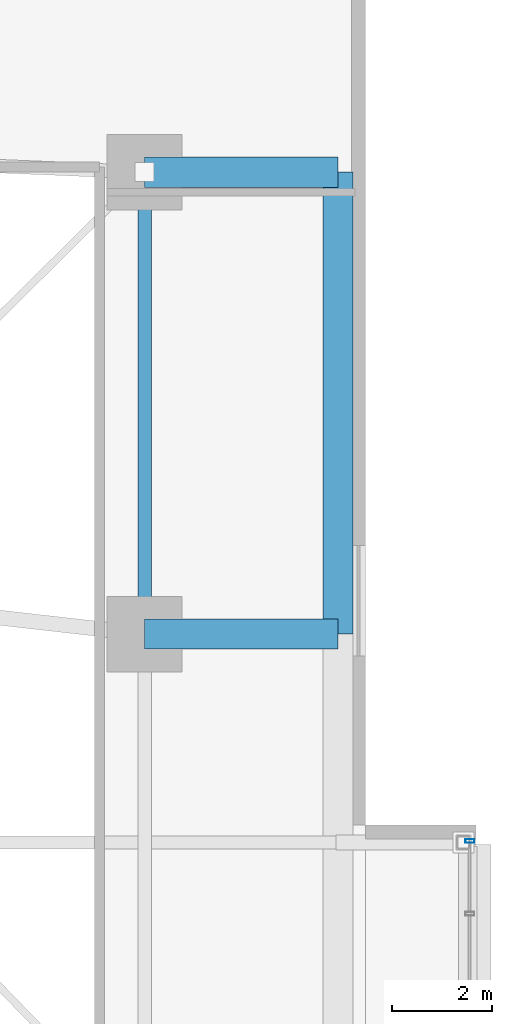
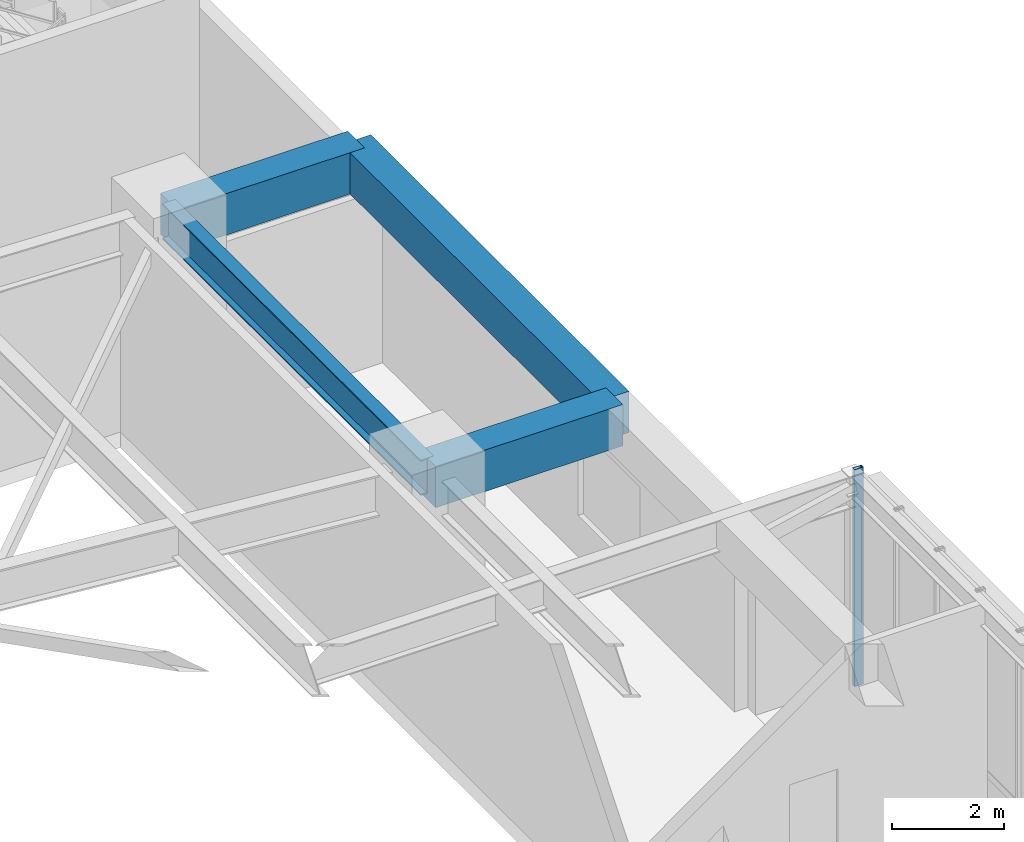
# One storey, part 12 of 24: 4 beams, 1 member, 1 element without a shape of its own.
"""IFC4 building model written with IfcOpenShell, lengths in metres."""

from ifc_helpers import new_model, si_unit, direction, frame, origin, origin_2d, place, context, subcontext, project, spatial, rectangle, hollow_rectangle, i_section, extrude, material, material_profile, profile_set, type_object, element, aggregate, save


model = new_model("IFC4")

# Units and contexts
model_context = context("Model", 3, precision=1e-05, world=origin(), true_north=direction((0.0, 1.0)))
body_context = subcontext(model_context, "Body", "Model", "MODEL_VIEW")
ifc_project = project(units=[si_unit("LENGTHUNIT", "METRE"), si_unit("AREAUNIT", "SQUARE_METRE"), si_unit("VOLUMEUNIT", "CUBIC_METRE"), si_unit("PLANEANGLEUNIT", "RADIAN"), si_unit("MASSUNIT", "GRAM", prefix="KILO")], contexts=[model_context])

# Site, building, storey
site_placement = place(None, origin())
site = spatial("IfcSite", under=ifc_project, at=site_placement, CompositionType="ELEMENT")
building_placement = place(site_placement, origin())
building = spatial("IfcBuilding", under=site, at=building_placement, Name="Zulverin Broadcast Headquarters", CompositionType="ELEMENT")
storey_placement = place(building_placement, frame((0.0, 0.0, 5.0)))
storey = spatial("IfcBuildingStorey", under=building, at=storey_placement, Name="L01", CompositionType="ELEMENT", Elevation=5.0)

# Beams
ifc_material_1 = material(Name="Concrete C40/50", Category="concrete")
ifc_material_profile_1 = material_profile(ifc_material_1, rectangle(XDim=0.60009765625, YDim=0.89990234375, at=origin_2d()), Name="Concrete C40/50", Category="concrete")
ifc_profile_set_1 = profile_set([ifc_material_profile_1], Name="Concrete C40/50")
beam_type_1 = type_object("IfcBeamType", Name="BM-RC-600x900", PredefinedType="BEAM", material=ifc_profile_set_1)
for number, where, z_axis, x_axis, name in (
    (1, (69.60009765625, 25.199951171875, 4.2099609375), (1.0, 0.0, 0.0), (0.0, 1.0, 0.0), "L01 East Perimeter Bracket Girder EBR-3"),
    (2, (69.60009765625, 34.39990234375, 4.2099609375), (1.0, 0.0, 0.0), (0.0, 1.0, 0.0), "L01 East Perimeter Bracket Girder EBR-4"),
):
    element("IfcBeam", number, at=place(storey_placement, frame(where, z_axis=z_axis, x_axis=x_axis)), inside=storey, type_object=beam_type_1, Name=name, PredefinedType="BEAM", context=body_context, shape_type="SweptSolid", body=[
        extrude(rectangle(XDim=0.60009765625, YDim=0.89990234375, at=origin_2d()), origin(), (0.0, 0.0, 1.0), 3.849853515625),
    ])
beam_1_placement = place(storey_placement, frame((73.449951171875, 25.199951171875, 4.2099609375), z_axis=(0.0, 1.0, 0.0), x_axis=(-1.0, 0.0, 0.0)))
element("IfcBeam", 3, at=beam_1_placement, inside=storey, type_object=beam_type_1, Name="L01 East Edge Spandrel Girder EEG-3", PredefinedType="BEAM", context=body_context, shape_type="SweptSolid", body=[
    extrude(rectangle(XDim=0.60009765625, YDim=0.89990234375, at=origin_2d()), origin(), (0.0, 0.0, 1.0), 9.199951171875),
])
ifc_material_2 = material(Name="Structural steel S355JR", Category="steel")
ifc_material_profile_2 = material_profile(ifc_material_2, i_section(OverallWidth=0.26806640625, OverallDepth=0.769775390625, WebThickness=0.015625, FlangeThickness=0.025390625, at=origin_2d()), Name="Structural steel S355JR", Category="steel")
ifc_profile_set_2 = profile_set([ifc_material_profile_2], Name="Structural steel S355JR")
beam_type_2 = type_object("IfcBeamType", Name="BM-UB-762", PredefinedType="BEAM", material=ifc_profile_set_2)
beam_2_placement = place(storey_placement, frame((69.60009765625, 25.199951171875, 4.275146484375), z_axis=(0.0, 1.0, 0.0), x_axis=(-1.0, 0.0, 0.0)))
element("IfcBeam", 4, at=beam_2_placement, inside=storey, type_object=beam_type_2, Name="L01 Podium Primary Girder P15-P16", PredefinedType="BEAM", context=body_context, shape_type="SweptSolid", body=[
    extrude(i_section(OverallWidth=0.26806640625, OverallDepth=0.769775390625, WebThickness=0.015625, FlangeThickness=0.025390625, at=origin_2d()), origin(), (0.0, 0.0, 1.0), 9.199951171875),
])

# Curtain wall, member
ifc_material_3 = material(Name="Acoustic triple-glazed studio box curtain wall", Category="aluminium")
curtain_wall_type = type_object("IfcCurtainWallType", Name="CW-SBOX", PredefinedType="USERDEFINED", material=ifc_material_3)
curtain_wall_placement = place(storey_placement, origin())
curtain_wall = element("IfcCurtainWall", 5, at=curtain_wall_placement, inside=storey, type_object=curtain_wall_type, Name="L01 Unitised Curtain Wall CW-L01-SBOX_POD_LOWER_E1-F", ObjectType="UNITISED CURTAIN WALL", PredefinedType="USERDEFINED")
ifc_material_4 = material(Name="Anodized pale-metal aluminium alloy 6063-T6", Category="aluminium")
ifc_material_profile_3 = material_profile(ifc_material_4, hollow_rectangle(XDim=0.074951171875, YDim=0.179931640625, WallThickness=0.0048828125, at=origin_2d()), Name="Anodized pale-metal aluminium alloy 6063-T6", Category="aluminium")
ifc_profile_set_3 = profile_set([ifc_material_profile_3], Name="Anodized pale-metal aluminium alloy 6063-T6")
member_type = type_object("IfcMemberType", Name="CW-MUL-180", PredefinedType="MULLION", material=ifc_profile_set_3)
member_placement = place(storey_placement, frame((76.080078125, 21.080078125, -0.030029296875), z_axis=(0.0, 0.0, 1.0), x_axis=(0.0, 1.0, 0.0)))
member = element("IfcMember", 6, at=member_placement, type_object=member_type, Name="CW-L01-SBOX_POD_LOWER_E1-F Mullion 07", PredefinedType="MULLION", context=body_context, shape_type="SweptSolid", body=[
    extrude(hollow_rectangle(XDim=0.074951171875, YDim=0.179931640625, WallThickness=0.0048828125, at=origin_2d()), origin(), (0.0, 0.0, 1.0), 4.719970703125),
])
aggregate(curtain_wall, [member])

save(model, "model.ifc")
